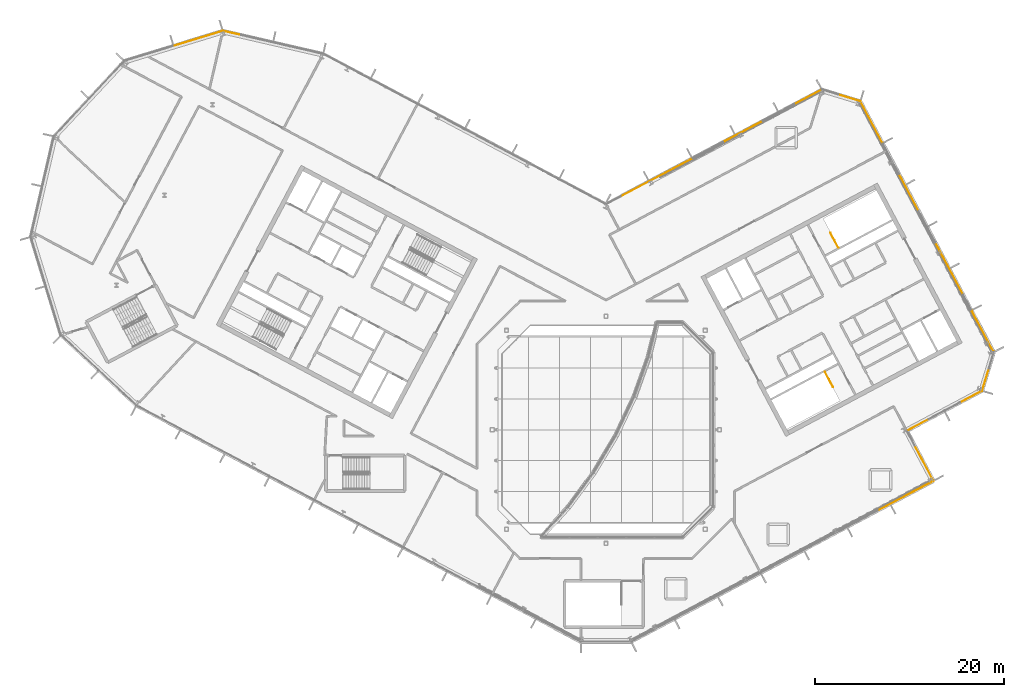
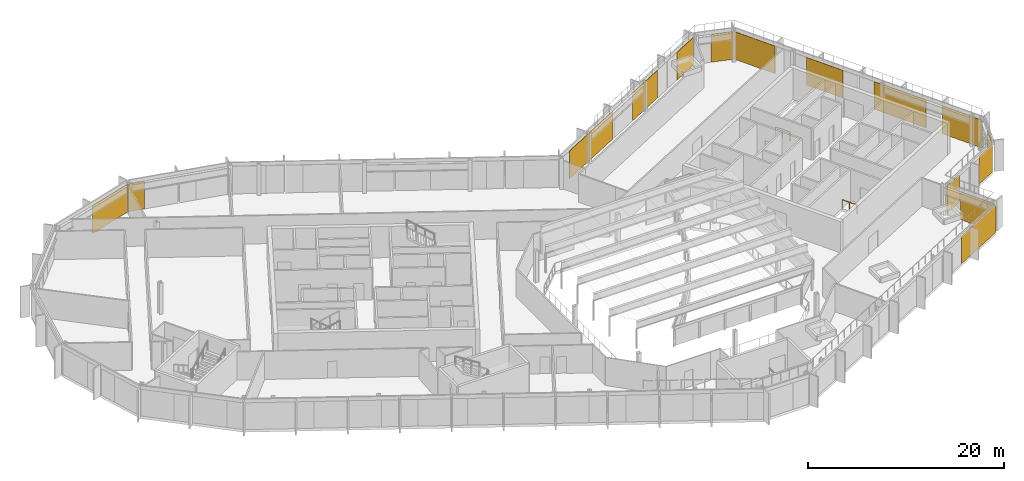
# One storey, part 35 of 35: 15 coverings, 2 railings, 9 elements without a shape of their own.
"""IFC4 building model written with IfcOpenShell, lengths in metres."""

from ifc_helpers import new_model, si_unit, direction, frame, origin, origin_2d, place, context, subcontext, project, spatial, polyline, rectangle, outline, extrude, material, layer, layer_set, type_object, element, aggregate, save


model = new_model("IFC4")

# Units and contexts
model_context = context("Model", 3, precision=1e-05, world=origin(), true_north=direction((0.0, 1.0)))
body_context = subcontext(model_context, "Body", "Model", "MODEL_VIEW")
ifc_project = project(units=[si_unit("LENGTHUNIT", "METRE"), si_unit("AREAUNIT", "SQUARE_METRE"), si_unit("VOLUMEUNIT", "CUBIC_METRE"), si_unit("PLANEANGLEUNIT", "RADIAN"), si_unit("MASSUNIT", "GRAM", prefix="KILO")], contexts=[model_context])

# Site, building, storey
site_placement = place(None, origin())
site = spatial("IfcSite", under=ifc_project, at=site_placement, CompositionType="ELEMENT")
building_placement = place(site_placement, origin())
building = spatial("IfcBuilding", under=site, at=building_placement, Name="Cormorant Relay Tower", CompositionType="ELEMENT")
storey_placement = place(building_placement, frame((0.0, 0.0, 324.300048828125)))
storey = spatial("IfcBuildingStorey", under=building, at=storey_placement, Name="L74", CompositionType="ELEMENT", Elevation=324.300048828125)

# Curtain wall, covering
ifc_material_1 = material(Name="Aluminium 6063-T6 anodised bronze", Category="aluminium")
ifc_layer_1 = layer(ifc_material_1, 0.199951171875)
ifc_layer_set_1 = layer_set([ifc_layer_1], Name="CW1 unitised bronze curtain wall with vertical fins")
curtain_wall_type = type_object("IfcCurtainWallType", Name="CW1 unitised bronze curtain wall with vertical fins", PredefinedType="NOTDEFINED", material=ifc_layer_set_1)
curtain_wall_1_placement = place(storey_placement, origin())
curtain_wall_1 = element("IfcCurtainWall", 1, at=curtain_wall_1_placement, inside=storey, type_object=curtain_wall_type, Name="CW1 curtain wall 2", PredefinedType="NOTDEFINED")
ifc_material_2 = material(Name="Pale bronze anodised aluminium insulated panel", Category="aluminium")
ifc_layer_2 = layer(ifc_material_2, 0.0400390625)
ifc_layer_set_2 = layer_set([ifc_layer_2], Name="CW1 pale bronze insulated panel 40")
covering_type = type_object("IfcCoveringType", Name="CW1 pale bronze insulated panel 40", PredefinedType="CLADDING", material=ifc_layer_set_2)
covering_1_placement = place(storey_placement, frame((31.6513671875, -6.977294921875, 0.0), z_axis=(0.0, 0.0, 1.0), x_axis=(0.882947592859, 0.469471562786, 0.0)))
covering_1 = element("IfcCovering", 2, at=covering_1_placement, type_object=covering_type, Name="CW1 panel S08", PredefinedType="CLADDING", context=body_context, shape_type="SweptSolid", body=[
    extrude(rectangle(XDim=6.658203125, YDim=0.0400390625, at=origin_2d()), origin(), (0.0, 0.0, 1.0), 3.449951171875),
])
aggregate(curtain_wall_1, [covering_1])

curtain_wall_2_placement = place(storey_placement, origin())
curtain_wall_2 = element("IfcCurtainWall", 3, at=curtain_wall_2_placement, inside=storey, type_object=curtain_wall_type, Name="CW1 curtain wall 3", PredefinedType="NOTDEFINED")
covering_2_placement = place(storey_placement, frame((33.595703125, -3.5, 0.0), z_axis=(0.0, 0.0, 1.0), x_axis=(-0.469471562786, 0.882947592859, 0.0)))
covering_2 = element("IfcCovering", 4, at=covering_2_placement, type_object=covering_type, Name="CW1 panel S00", PredefinedType="CLADDING", context=body_context, shape_type="SweptSolid", body=[
    extrude(rectangle(XDim=4.125, YDim=0.0400390625, at=origin_2d()), origin(), (0.0, 0.0, 1.0), 3.449951171875),
])
aggregate(curtain_wall_2, [covering_2])

# Curtain wall, coverings
curtain_wall_3_placement = place(storey_placement, origin())
curtain_wall_3 = element("IfcCurtainWall", 5, at=curtain_wall_3_placement, inside=storey, type_object=curtain_wall_type, Name="CW1 curtain wall 4", PredefinedType="NOTDEFINED")
covering_3_placement = place(storey_placement, frame((32.9990234375, 0.53466796875, 0.0), z_axis=(0.0, 0.0, 1.0), x_axis=(0.882947592859, 0.469471562786, 0.0)))
covering_3 = element("IfcCovering", 6, at=covering_3_placement, type_object=covering_type, Name="CW1 panel S00", PredefinedType="CLADDING", context=body_context, shape_type="SweptSolid", body=[
    extrude(rectangle(XDim=2.47509765625, YDim=0.0400390625, at=origin_2d()), origin(), (0.0, 0.0, 1.0), 3.449951171875),
])
covering_4_placement = place(storey_placement, frame((38.561767578125, 3.492431640625, 0.0), z_axis=(0.0, 0.0, 1.0), x_axis=(0.882947592859, 0.469471562786, 0.0)))
covering_4 = element("IfcCovering", 7, at=covering_4_placement, type_object=covering_type, Name="CW1 panel S03", PredefinedType="CLADDING", context=body_context, shape_type="SweptSolid", body=[
    extrude(rectangle(XDim=2.625, YDim=0.0400390625, at=origin_2d()), origin(), (0.0, 0.0, 1.0), 3.449951171875),
])
aggregate(curtain_wall_3, [covering_3, covering_4])

# Curtain wall, covering
curtain_wall_4_placement = place(storey_placement, origin())
curtain_wall_4 = element("IfcCurtainWall", 8, at=curtain_wall_4_placement, inside=storey, type_object=curtain_wall_type, Name="CW1 curtain wall 5", PredefinedType="NOTDEFINED")
covering_5_placement = place(storey_placement, frame((40.098388671875, 5.32421875, 0.0), z_axis=(0.0, 0.0, 1.0), x_axis=(0.292371704723, 0.956304755963, 0.0)))
covering_5 = element("IfcCovering", 9, at=covering_5_placement, type_object=covering_type, Name="CW1 panel S00", PredefinedType="CLADDING", context=body_context, shape_type="SweptSolid", body=[
    extrude(rectangle(XDim=2.36767578125, YDim=0.0400390625, at=origin_2d()), origin(), (0.0, 0.0, 1.0), 3.449951171875),
])
aggregate(curtain_wall_4, [covering_5])

# Curtain wall, coverings
curtain_wall_5_placement = place(storey_placement, origin())
curtain_wall_5 = element("IfcCurtainWall", 10, at=curtain_wall_5_placement, inside=storey, type_object=curtain_wall_type, Name="CW1 curtain wall 6", PredefinedType="NOTDEFINED")
covering_6_placement = place(storey_placement, frame((39.79541015625, 10.400146484375, 0.0), z_axis=(0.0, 0.0, 1.0), x_axis=(-0.469471562786, 0.882947592859, 0.0)))
covering_6 = element("IfcCovering", 11, at=covering_6_placement, type_object=covering_type, Name="CW1 panel S00", PredefinedType="CLADDING", context=body_context, shape_type="SweptSolid", body=[
    extrude(rectangle(XDim=4.85009765625, YDim=0.0400390625, at=origin_2d()), origin(), (0.0, 0.0, 1.0), 3.449951171875),
])
covering_7_placement = place(storey_placement, frame((36.2744140625, 17.0224609375, 0.0), z_axis=(0.0, 0.0, 1.0), x_axis=(-0.469471562786, 0.882947592859, 0.0)))
covering_7 = element("IfcCovering", 12, at=covering_7_placement, type_object=covering_type, Name="CW1 panel S02", PredefinedType="CLADDING", context=body_context, shape_type="SweptSolid", body=[
    extrude(rectangle(XDim=6.25, YDim=0.0400390625, at=origin_2d()), origin(), (0.0, 0.0, 1.0), 3.449951171875),
])
covering_8_placement = place(storey_placement, frame((32.002197265625, 25.05712890625, 0.0), z_axis=(0.0, 0.0, 1.0), x_axis=(-0.469471562786, 0.882947592859, 0.0)))
covering_8 = element("IfcCovering", 13, at=covering_8_placement, type_object=covering_type, Name="CW1 panel S05", PredefinedType="CLADDING", context=body_context, shape_type="SweptSolid", body=[
    extrude(rectangle(XDim=4.449951171875, YDim=0.0400390625, at=origin_2d()), origin(), (0.0, 0.0, 1.0), 3.449951171875),
])
covering_9_placement = place(storey_placement, frame((28.041015625, 32.507080078125, 0.0), z_axis=(0.0, 0.0, 1.0), x_axis=(-0.469471562786, 0.882947592859, 0.0)))
covering_9 = element("IfcCovering", 14, at=covering_9_placement, type_object=covering_type, Name="CW1 panel S07", PredefinedType="CLADDING", context=body_context, shape_type="SweptSolid", body=[
    extrude(rectangle(XDim=4.925048828125, YDim=0.0400390625, at=origin_2d()), origin(), (0.0, 0.0, 1.0), 3.449951171875),
])
aggregate(curtain_wall_5, [covering_6, covering_7, covering_8, covering_9])

# Curtain wall, covering
curtain_wall_6_placement = place(storey_placement, origin())
curtain_wall_6 = element("IfcCurtainWall", 15, at=curtain_wall_6_placement, inside=storey, type_object=curtain_wall_type, Name="CW1 curtain wall 7", PredefinedType="NOTDEFINED")
covering_10_placement = place(storey_placement, frame((25.66943359375, 35.05908203125, 0.0), z_axis=(0.0, 0.0, 1.0), x_axis=(-0.956304755963, 0.292371704723, 0.0)))
covering_10 = element("IfcCovering", 16, at=covering_10_placement, type_object=covering_type, Name="CW1 panel S00", PredefinedType="CLADDING", context=body_context, shape_type="SweptSolid", body=[
    extrude(rectangle(XDim=2.36767578125, YDim=0.0400390625, at=origin_2d()), origin(), (0.0, 0.0, 1.0), 3.449951171875),
])
aggregate(curtain_wall_6, [covering_10])

# Curtain wall, coverings
curtain_wall_7_placement = place(storey_placement, origin())
curtain_wall_7 = element("IfcCurtainWall", 17, at=curtain_wall_7_placement, inside=storey, type_object=curtain_wall_type, Name="CW1 curtain wall 8", PredefinedType="NOTDEFINED")
covering_11_placement = place(storey_placement, frame((21.314453125, 35.1396484375, 0.0), z_axis=(0.0, 0.0, 1.0), x_axis=(-0.882947592859, -0.469471562786, 0.0)))
covering_11 = element("IfcCovering", 18, at=covering_11_placement, type_object=covering_type, Name="CW1 panel S00", PredefinedType="CLADDING", context=body_context, shape_type="SweptSolid", body=[
    extrude(rectangle(XDim=3.216796875, YDim=0.0400390625, at=origin_2d()), origin(), (0.0, 0.0, 1.0), 3.449951171875),
])
covering_12_placement = place(storey_placement, frame((14.471435546875, 31.501220703125, 0.0), z_axis=(0.0, 0.0, 1.0), x_axis=(-0.882947592859, -0.469471562786, 0.0)))
covering_12 = element("IfcCovering", 19, at=covering_12_placement, type_object=covering_type, Name="CW1 panel S03", PredefinedType="CLADDING", context=body_context, shape_type="SweptSolid", body=[
    extrude(rectangle(XDim=4.78369140625, YDim=0.0400390625, at=origin_2d()), origin(), (0.0, 0.0, 1.0), 3.449951171875),
])
covering_13_placement = place(storey_placement, frame((5.314208984375, 26.632080078125, 0.0), z_axis=(0.0, 0.0, 1.0), x_axis=(-0.882947592859, -0.469471562786, 0.0)))
covering_13 = element("IfcCovering", 20, at=covering_13_placement, type_object=covering_type, Name="CW1 panel S05", PredefinedType="CLADDING", context=body_context, shape_type="SweptSolid", body=[
    extrude(rectangle(XDim=8.45849609375, YDim=0.0400390625, at=origin_2d()), origin(), (0.0, 0.0, 1.0), 3.449951171875),
])
aggregate(curtain_wall_7, [covering_11, covering_12, covering_13])

# Curtain wall, covering
curtain_wall_8_placement = place(storey_placement, origin())
curtain_wall_8 = element("IfcCurtainWall", 21, at=curtain_wall_8_placement, inside=storey, type_object=curtain_wall_type, Name="CW1 curtain wall 10", PredefinedType="NOTDEFINED")
covering_14_placement = place(storey_placement, frame((-39.603515625, 41.934814453125, 0.0), z_axis=(0.0, 0.0, 1.0), x_axis=(-0.974370064785, 0.224951054344, 0.0)))
covering_14 = element("IfcCovering", 22, at=covering_14_placement, type_object=covering_type, Name="CW1 panel S03", PredefinedType="CLADDING", context=body_context, shape_type="SweptSolid", body=[
    extrude(rectangle(XDim=1.76025390625, YDim=0.0400390625, at=origin_2d()), origin(), (0.0, 0.0, 1.0), 3.449951171875),
])
aggregate(curtain_wall_8, [covering_14])

curtain_wall_9_placement = place(storey_placement, origin())
curtain_wall_9 = element("IfcCurtainWall", 23, at=curtain_wall_9_placement, inside=storey, type_object=curtain_wall_type, Name="CW1 curtain wall 11", PredefinedType="NOTDEFINED")
covering_15_placement = place(storey_placement, frame((-43.0703125, 41.337890625, 0.0), z_axis=(0.0, 0.0, 1.0), x_axis=(-0.956304755963, -0.292371704723, 0.0)))
covering_15 = element("IfcCovering", 24, at=covering_15_placement, type_object=covering_type, Name="CW1 panel S00", PredefinedType="CLADDING", context=body_context, shape_type="SweptSolid", body=[
    extrude(rectangle(XDim=5.28515625, YDim=0.0400390625, at=origin_2d()), origin(), (0.0, 0.0, 1.0), 3.449951171875),
])
aggregate(curtain_wall_9, [covering_15])

# Railings
ifc_material_3 = material(Name="Steel ASTM A572 Grade 50 (Fy 345 MPa)", Category="steel")
railing_type = type_object("IfcRailingType", Name="Stair guard 1100", PredefinedType="GUARDRAIL", material=ifc_material_3)
railing_1_placement = place(storey_placement, frame((23.13134765625, 6.126708984375, 0.0)))
element("IfcRailing", 25, at=railing_1_placement, inside=storey, type_object=railing_type, Name="L74 B1 top well guard 1", PredefinedType="GUARDRAIL", context=body_context, shape_type="SweptSolid", body=[
    extrude(outline(polyline([(0.022216796875, 0.00927734375), (0.00927734375, 0.022216796875), (-0.00927734375, 0.022216796875), (-0.022216796875, 0.00927734375), (-0.022216796875, -0.00927734375), (-0.00927734375, -0.022216796875), (0.00927734375, -0.022216796875), (0.022216796875, -0.00927734375), (0.022216796875, 0.00927734375)])), frame((0.0, 0.0, 1.076171875), z_axis=(0.469426263522, -0.882971677414, 0.0), x_axis=(0.882971677414, 0.469426263522, 0.0)), (0.0, 0.0, 1.0), 1.800048828125),
    extrude(outline(polyline([(0.019287109375, 0.008056640625), (0.008056640625, 0.019287109375), (-0.008056640625, 0.019287109375), (-0.019287109375, 0.008056640625), (-0.019287109375, -0.008056640625), (-0.008056640625, -0.019287109375), (0.008056640625, -0.019287109375), (0.019287109375, -0.008056640625), (0.019287109375, 0.008056640625)])), origin(), (0.0, 0.0, 1.0), 1.052001953125),
    extrude(outline(polyline([(0.019287109375, 0.008056640625), (0.008056640625, 0.019287109375), (-0.008056640625, 0.019287109375), (-0.019287109375, 0.008056640625), (-0.019287109375, -0.008056640625), (-0.008056640625, -0.019287109375), (0.008056640625, -0.019287109375), (0.019287109375, -0.008056640625), (0.019287109375, 0.008056640625)])), frame((0.42236328125, -0.794677734375, 0.0)), (0.0, 0.0, 1.0), 1.052001953125),
    extrude(outline(polyline([(0.019287109375, 0.008056640625), (0.008056640625, 0.019287109375), (-0.008056640625, 0.019287109375), (-0.019287109375, 0.008056640625), (-0.019287109375, -0.008056640625), (-0.008056640625, -0.019287109375), (0.008056640625, -0.019287109375), (0.019287109375, -0.008056640625), (0.019287109375, 0.008056640625)])), frame((0.844970703125, -1.58935546875, 0.0)), (0.0, 0.0, 1.0), 1.052001953125),
])
railing_2_placement = place(storey_placement, frame((24.5478515625, 19.224853515625, 0.0)))
element("IfcRailing", 26, at=railing_2_placement, inside=storey, type_object=railing_type, Name="L74 B2 top well guard 1", PredefinedType="GUARDRAIL", context=body_context, shape_type="SweptSolid", body=[
    extrude(outline(polyline([(0.022216796875, 0.00927734375), (0.00927734375, 0.022216796875), (-0.00927734375, 0.022216796875), (-0.022216796875, 0.00927734375), (-0.022216796875, -0.00927734375), (-0.00927734375, -0.022216796875), (0.00927734375, -0.022216796875), (0.022216796875, -0.00927734375), (0.022216796875, 0.00927734375)])), frame((0.0, 0.0, 1.076171875), z_axis=(-0.469426263522, 0.882971677414, 0.0), x_axis=(-0.882971677414, -0.469426263522, 0.0)), (0.0, 0.0, 1.0), 1.800048828125),
    extrude(outline(polyline([(0.019287109375, 0.008056640625), (0.008056640625, 0.019287109375), (-0.008056640625, 0.019287109375), (-0.019287109375, 0.008056640625), (-0.019287109375, -0.008056640625), (-0.008056640625, -0.019287109375), (0.008056640625, -0.019287109375), (0.019287109375, -0.008056640625), (0.019287109375, 0.008056640625)])), origin(), (0.0, 0.0, 1.0), 1.052001953125),
    extrude(outline(polyline([(0.019287109375, 0.008056640625), (0.008056640625, 0.019287109375), (-0.008056640625, 0.019287109375), (-0.019287109375, 0.008056640625), (-0.019287109375, -0.008056640625), (-0.008056640625, -0.019287109375), (0.008056640625, -0.019287109375), (0.019287109375, -0.008056640625), (0.019287109375, 0.008056640625)])), frame((-0.42236328125, 0.794677734375, 0.0)), (0.0, 0.0, 1.0), 1.052001953125),
    extrude(outline(polyline([(0.019287109375, 0.008056640625), (0.008056640625, 0.019287109375), (-0.008056640625, 0.019287109375), (-0.019287109375, 0.008056640625), (-0.019287109375, -0.008056640625), (-0.008056640625, -0.019287109375), (0.008056640625, -0.019287109375), (0.019287109375, -0.008056640625), (0.019287109375, 0.008056640625)])), frame((-0.844970703125, 1.58935546875, 0.0)), (0.0, 0.0, 1.0), 1.052001953125),
])

save(model, "model.ifc")
